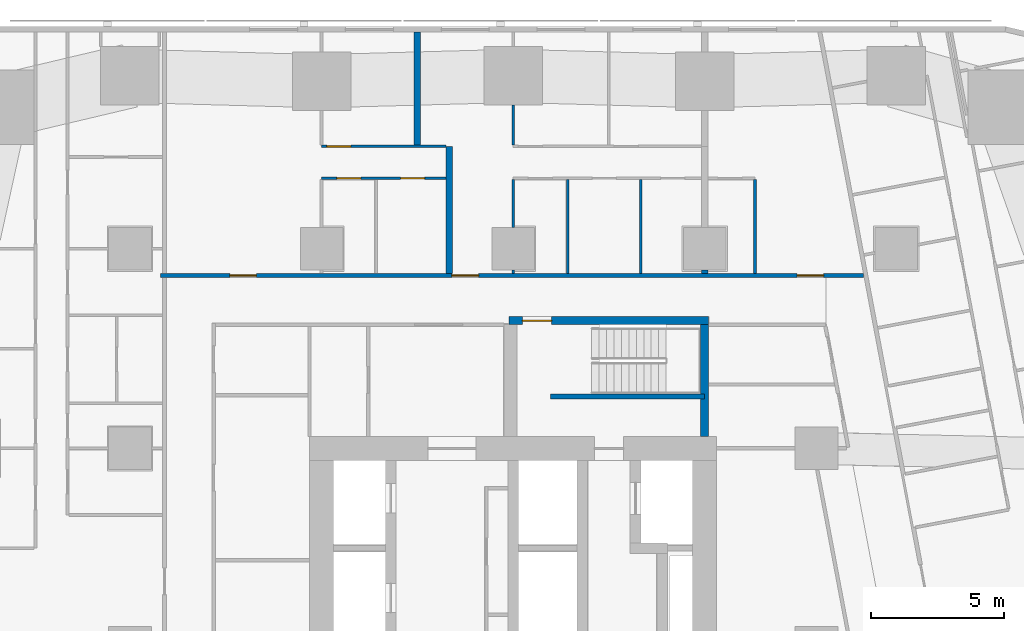
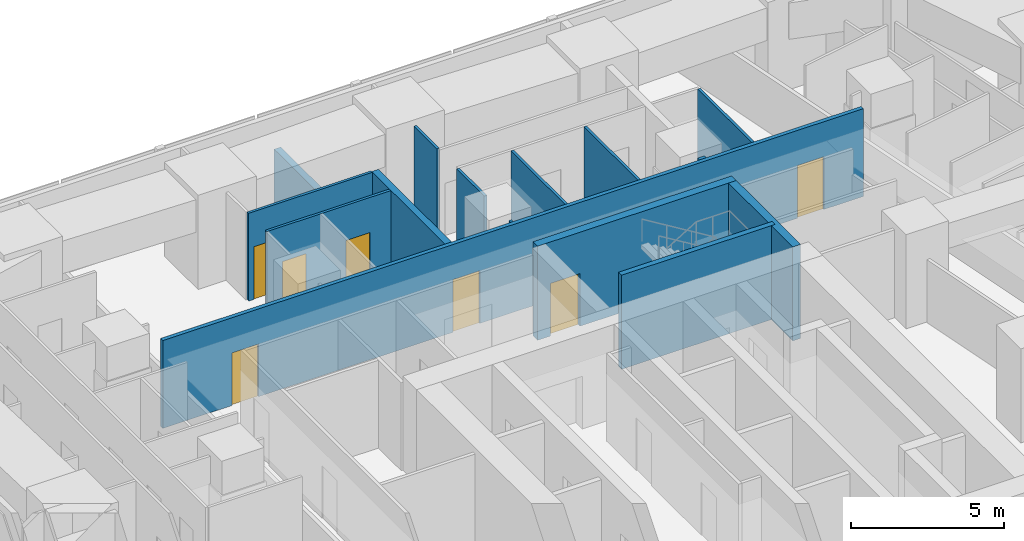
# One storey, part 10 of 17: 15 walls, 7 doors, 7 openings.
"""IFC4 building model written with IfcOpenShell, lengths in metres."""

import ifcopenshell
import ifcopenshell.guid

model = None  # the IFC model being written
_history = None  # IfcOwnerHistory: only IFC2X3 demands one
_inside = {}  # id of a spatial element -> (the spatial element, [elements in it])
_under = {}  # id of a project, library or spatial element -> (it, [spatial elements below it])
_declared = {}  # id of a project -> (the project, [libraries it declares])
_typed = {}  # id of a type object -> (the type object, [elements of that type])
_made_of = {}  # id of a material, layer set ... -> (it, [elements and type objects made of it])


def new_model(schema):
    """Start an empty IFC model of exactly this schema.

    Asked for "IFC4X3", IfcOpenShell would pick the latest addendum, in which some entities
    have other attributes; the version numbers below select the first issue.
    IFC2X3 requires an IfcOwnerHistory on every rooted entity: one is made here for all.
    """
    global model, _history
    if schema == "IFC4X3":
        model = ifcopenshell.file(schema_version=(4, 3, 0, 0))
    else:
        model = ifcopenshell.file(schema=schema)
    _inside.clear()
    _under.clear()
    _declared.clear()
    _typed.clear()
    _made_of.clear()
    _history = None
    if model.schema == "IFC2X3":
        org = make("IfcOrganization", Name="unknown")
        user = make(
            "IfcPersonAndOrganization",
            ThePerson=make("IfcPerson", FamilyName="unknown"),
            TheOrganization=org,
        )
        app = make(
            "IfcApplication",
            ApplicationDeveloper=org,
            Version="unknown",
            ApplicationFullName="unknown",
            ApplicationIdentifier="unknown",
        )
        _history = make(
            "IfcOwnerHistory",
            OwningUser=user,
            OwningApplication=app,
            ChangeAction="ADDED",
            CreationDate=0,
        )
    return model


def make(cls, **values):
    """One entity of the class cls with the attributes given. An attribute that is None is left unset."""
    return model.create_entity(
        cls, **{name: value for name, value in values.items() if value is not None}
    )


def rooted(cls, **values):
    """An entity with a GlobalId (a new one), such as an element, a storey or a relation."""
    return make(cls, GlobalId=ifcopenshell.guid.new(), OwnerHistory=_history, **values)


def si_unit(unit_type, name, prefix=None):
    """IfcSIUnit, for example si_unit("LENGTHUNIT", "METRE", prefix="MILLI")."""
    return make("IfcSIUnit", UnitType=unit_type, Prefix=prefix, Name=name)


def assignment(units):
    """IfcUnitAssignment: the units of a project."""
    return None if units is None else make("IfcUnitAssignment", Units=units)


def point(xyz):
    """IfcCartesianPoint."""
    return None if xyz is None else make("IfcCartesianPoint", Coordinates=xyz)


def direction(xyz):
    """IfcDirection."""
    return None if xyz is None else make("IfcDirection", DirectionRatios=xyz)


def frame(location, z_axis=None, x_axis=None):
    """IfcAxis2Placement3D, a coordinate frame: its origin and axes. An axis left out is left unset."""
    return make(
        "IfcAxis2Placement3D",
        Location=point(location),
        Axis=direction(z_axis),
        RefDirection=direction(x_axis),
    )


def frame_2d(location, x_axis=None):
    """IfcAxis2Placement2D, a coordinate frame in the plane: its origin and x axis."""
    return make(
        "IfcAxis2Placement2D", Location=point(location), RefDirection=direction(x_axis)
    )


def origin():
    """The frame at (0, 0, 0) with its axes left unset."""
    return frame((0.0, 0.0, 0.0))


def place(relative_to, where):
    """IfcLocalPlacement: puts the frame where relative to a parent placement (None: the world)."""
    return make(
        "IfcLocalPlacement", PlacementRelTo=relative_to, RelativePlacement=where
    )


def context(
    kind, dimensions, precision=None, world=None, true_north=None, identifier=None
):
    """IfcGeometricRepresentationContext, for example the 3D "Model" context."""
    return make(
        "IfcGeometricRepresentationContext",
        ContextIdentifier=identifier,
        ContextType=kind,
        CoordinateSpaceDimension=dimensions,
        Precision=precision,
        WorldCoordinateSystem=world,
        TrueNorth=true_north,
    )


def subcontext(parent, identifier, kind, view, scale=None):
    """IfcGeometricRepresentationSubContext, for example "Body" below "Model"."""
    return make(
        "IfcGeometricRepresentationSubContext",
        ContextIdentifier=identifier,
        ContextType=kind,
        ParentContext=parent,
        TargetScale=scale,
        TargetView=view,
    )


def project(units=None, contexts=None):
    """IfcProject with its units and contexts."""
    return rooted(
        "IfcProject",
        Name="project",
        RepresentationContexts=contexts,
        UnitsInContext=assignment(units),
    )


def spatial(cls, under=None, at=None, **own):
    """A site, building, storey or space (cls), placed at a placement, below another one or the project."""
    s = rooted(cls, ObjectPlacement=at, **own)
    if under is not None:
        _under.setdefault(under.id(), (under, []))[1].append(s)
    return s


def profile(cls, at=None, kind="AREA", **sizes):
    """A parametric profile (cls). Its sizes go by their IFC names, for example OverallWidth=200.0."""
    return make(cls, ProfileType=kind, Position=at, **sizes)


def rectangle(**sizes):
    """IfcRectangleProfileDef."""
    return profile("IfcRectangleProfileDef", **sizes)


def extrude(swept, where, along, depth):
    """IfcExtrudedAreaSolid: the profile swept, set in the frame where, extruded along a direction by depth."""
    return make(
        "IfcExtrudedAreaSolid",
        SweptArea=swept,
        Position=where,
        ExtrudedDirection=direction(along),
        Depth=depth,
    )


def shape(context_of_items, identifier, shape_type, items):
    """IfcShapeRepresentation: the items that make up one representation, for example the "Body"."""
    return make(
        "IfcShapeRepresentation",
        ContextOfItems=context_of_items,
        RepresentationIdentifier=identifier,
        RepresentationType=shape_type,
        Items=items,
    )


def material(Name=None, Category=None):
    """IfcMaterial."""
    return make("IfcMaterial", Name=Name, Category=Category)


def layer(
    of_material, thickness, ventilated=None, Name=None, Category=None, Priority=None
):
    """IfcMaterialLayer: one layer of a wall or slab, of a material (None: an air gap)."""
    return make(
        "IfcMaterialLayer",
        Material=of_material,
        LayerThickness=thickness,
        IsVentilated=ventilated,
        Name=Name,
        Category=Category,
        Priority=Priority,
    )


def layer_set(layers, Name=None):
    """IfcMaterialLayerSet."""
    return make("IfcMaterialLayerSet", MaterialLayers=layers, LayerSetName=Name)


def made_of(thing, what):
    """Note that an element or type object is made of a material, layer set ...; save() writes the relation."""
    if what is not None:
        _made_of.setdefault(what.id(), (what, []))[1].append(thing)
    return thing


def type_object(cls, material=None, **own):
    """A type object (cls), such as IfcWallType, which elements share."""
    return made_of(rooted(cls, **own), material)


def element(
    cls,
    number,
    at=None,
    inside=None,
    cuts=None,
    type_object=None,
    material=None,
    context=None,
    identifier="Body",
    shape_type=None,
    held_by="IfcProductDefinitionShape",
    body=None,
    shapes=None,
    **own,
):
    """One element of the class cls, such as IfcWall. Its Tag is "e" and its number.

    at: its placement. inside: the storey or other place that contains it. cuts: it is an
    opening in that element (IfcRelVoidsElement). A single representation is given by context,
    identifier, shape_type and body (its items); several are given by shapes. held_by: the class
    of the entity that holds the representations. save() writes the other relations.
    """
    e = rooted(cls, Tag="e%d" % number, ObjectPlacement=at, **own)
    if body is not None:
        shapes = [shape(context, identifier, shape_type, body)]
    if shapes is not None:
        e.Representation = make(held_by, Representations=shapes)
    if inside is not None:
        _inside.setdefault(inside.id(), (inside, []))[1].append(e)
    if cuts is not None:
        rooted(
            "IfcRelVoidsElement", RelatingBuildingElement=cuts, RelatedOpeningElement=e
        )
    if type_object is not None:
        _typed.setdefault(type_object.id(), (type_object, []))[1].append(e)
    return made_of(e, material)


def fill(opening, filler):
    """IfcRelFillsElement: the door or window that sits in an opening."""
    return rooted(
        "IfcRelFillsElement",
        RelatingOpeningElement=opening,
        RelatedBuildingElement=filler,
    )


def aggregate(whole, parts):
    """IfcRelAggregates: a whole, such as a stair, and the parts it consists of."""
    return rooted("IfcRelAggregates", RelatingObject=whole, RelatedObjects=parts)


def save(model, path):
    """Write the relations noted so far, then the file.

    IfcRelAggregates (storeys below a building ...), IfcRelContainedInSpatialStructure (elements
    in a storey), IfcRelDefinesByType, IfcRelAssociatesMaterial and IfcRelDeclares: one each for
    every whole, place, type object, material and project.
    """
    for whole, parts in _under.values():
        aggregate(whole, parts)
    for where, things in _inside.values():
        rooted(
            "IfcRelContainedInSpatialStructure",
            RelatedElements=things,
            RelatingStructure=where,
        )
    for kind, things in _typed.values():
        rooted("IfcRelDefinesByType", RelatedObjects=things, RelatingType=kind)
    for what, things in _made_of.values():
        rooted("IfcRelAssociatesMaterial", RelatedObjects=things, RelatingMaterial=what)
    for by, libraries in _declared.values():
        rooted("IfcRelDeclares", RelatingContext=by, RelatedDefinitions=libraries)
    model.write(path)


model = new_model("IFC4")

# Units and contexts
model_context = context("Model", 3, precision=1e-05, world=origin(), true_north=direction((0.0, 1.0)))
body_context = subcontext(model_context, "Body", "Model", "MODEL_VIEW")
ifc_project = project(units=[si_unit("LENGTHUNIT", "METRE"), si_unit("AREAUNIT", "SQUARE_METRE"), si_unit("VOLUMEUNIT", "CUBIC_METRE"), si_unit("PLANEANGLEUNIT", "RADIAN"), si_unit("MASSUNIT", "GRAM", prefix="KILO")], contexts=[model_context])

# Site, building, storey
site_placement = place(None, origin())
site = spatial("IfcSite", under=ifc_project, at=site_placement, CompositionType="ELEMENT")
building_placement = place(site_placement, origin())
building = spatial("IfcBuilding", under=site, at=building_placement, Name="Sheger Commons Tower", CompositionType="ELEMENT")
storey_placement = place(building_placement, frame((0.0, 0.0, 111.64990234375)))
storey = spatial("IfcBuildingStorey", under=building, at=storey_placement, Name="L28", CompositionType="ELEMENT", Elevation=111.64990234375)

# Wall, openings, doors
ifc_material_1 = material(Name="Hollow concrete block masonry, skimmed both sides", Category="masonry")
ifc_layer_1 = layer(ifc_material_1, 0.14990234375)
ifc_layer_set_1 = layer_set([ifc_layer_1], Name="CORRIDOR WALL 150")
wall_type_1 = type_object("IfcWallType", Name="CORRIDOR WALL 150", PredefinedType="SOLIDWALL", material=ifc_layer_set_1)
wall_1_placement = place(storey_placement, frame((8.35009765625, 36.5, 0.0), z_axis=(0.0, 0.0, 1.0), x_axis=(1.0, 0.0, 0.0)))
wall_1 = element("IfcWall", 1, at=wall_1_placement, inside=storey, type_object=wall_type_1, Name="Corridor wall L28", PredefinedType="SOLIDWALL", context=body_context, shape_type="SweptSolid", body=[
    extrude(rectangle(XDim=26.414794921875, YDim=0.14990234375, at=frame_2d((13.20751953125, 0.0))), origin(), (0.0, 0.0, 1.0), 3.5),
])
opening_1_placement = place(wall_1_placement, frame((2.60009765625, 0.0, 0.0)))
opening_1 = element("IfcOpeningElement", 2, at=opening_1_placement, cuts=wall_1, Name="Opening D1", PredefinedType="OPENING", context=body_context, shape_type="SweptSolid", body=[
    extrude(rectangle(XDim=1.0, YDim=2.10009765625, at=frame_2d((0.5, 1.050048828125))), frame((0.0, 0.0849609375, 0.0), z_axis=(0.0, -1.0, 0.0), x_axis=(1.0, 0.0, 0.0)), (0.0, 0.0, 1.0), 0.169921875),
])
opening_2_placement = place(wall_1_placement, frame((10.948974609375, 0.0, 0.0)))
opening_2 = element("IfcOpeningElement", 3, at=opening_2_placement, cuts=wall_1, Name="Opening D1", PredefinedType="OPENING", context=body_context, shape_type="SweptSolid", body=[
    extrude(rectangle(XDim=1.0, YDim=2.10009765625, at=frame_2d((0.5, 1.050048828125))), frame((0.0, 0.0849609375, 0.0), z_axis=(0.0, -1.0, 0.0), x_axis=(1.0, 0.0, 0.0)), (0.0, 0.0, 1.0), 0.169921875),
])
opening_3_placement = place(wall_1_placement, frame((23.923095703125, 0.0, 0.0)))
opening_3 = element("IfcOpeningElement", 4, at=opening_3_placement, cuts=wall_1, Name="Opening D1", PredefinedType="OPENING", context=body_context, shape_type="SweptSolid", body=[
    extrude(rectangle(XDim=1.0, YDim=2.10009765625, at=frame_2d((0.5, 1.050048828125))), frame((0.0, 0.0849609375, 0.0), z_axis=(0.0, -1.0, 0.0), x_axis=(1.0, 0.0, 0.0)), (0.0, 0.0, 1.0), 0.169921875),
])
ifc_material_2 = material(Name="Steel door set, fire rated", Category="steel")
door_type_1 = type_object("IfcDoorType", Name="FLAT ENTRANCE DOOR 1000x2100", OperationType="NOTDEFINED", PredefinedType="DOOR", material=ifc_material_2)
door_1_placement = place(opening_1_placement, origin())
door_1 = element("IfcDoor", 5, at=door_1_placement, inside=storey, type_object=door_type_1, Name="Flat entrance door", OperationType="SINGLE_SWING_LEFT", OverallHeight=2.10009765625, OverallWidth=1.0, PredefinedType="DOOR", context=body_context, shape_type="SweptSolid", body=[
    extrude(rectangle(XDim=1.0, YDim=2.10009765625, at=frame_2d((0.5, 1.050048828125))), frame((0.0, 0.02490234375, 0.0), z_axis=(0.0, -1.0, 0.0), x_axis=(1.0, 0.0, 0.0)), (0.0, 0.0, 1.0), 0.050048828125),
])
fill(opening_1, door_1)
door_2_placement = place(opening_2_placement, origin())
door_2 = element("IfcDoor", 6, at=door_2_placement, inside=storey, type_object=door_type_1, Name="Flat entrance door", OperationType="SINGLE_SWING_LEFT", OverallHeight=2.10009765625, OverallWidth=1.0, PredefinedType="DOOR", context=body_context, shape_type="SweptSolid", body=[
    extrude(rectangle(XDim=1.0, YDim=2.10009765625, at=frame_2d((0.5, 1.050048828125))), frame((0.0, 0.02490234375, 0.0), z_axis=(0.0, -1.0, 0.0), x_axis=(1.0, 0.0, 0.0)), (0.0, 0.0, 1.0), 0.050048828125),
])
fill(opening_2, door_2)
door_3_placement = place(opening_3_placement, origin())
door_3 = element("IfcDoor", 7, at=door_3_placement, inside=storey, type_object=door_type_1, Name="Flat entrance door", OperationType="SINGLE_SWING_RIGHT", OverallHeight=2.10009765625, OverallWidth=1.0, PredefinedType="DOOR", context=body_context, shape_type="SweptSolid", body=[
    extrude(rectangle(XDim=1.0, YDim=2.10009765625, at=frame_2d((0.5, 1.050048828125))), frame((0.0, 0.02490234375, 0.0), z_axis=(0.0, -1.0, 0.0), x_axis=(1.0, 0.0, 0.0)), (0.0, 0.0, 1.0), 0.050048828125),
])
fill(opening_3, door_3)

# Walls
ifc_material_3 = material(Name="Dense concrete block masonry, plastered both sides (separating wall between flats)", Category="masonry")
ifc_layer_2 = layer(ifc_material_3, 0.25)
ifc_layer_set_2 = layer_set([ifc_layer_2], Name="DEMISING WALL 250")
wall_type_2 = type_object("IfcWallType", Name="DEMISING WALL 250", PredefinedType="SOLIDWALL", material=ifc_layer_set_2)
wall_2_placement = place(storey_placement, frame((18.0, 41.39990234375, 0.0), z_axis=(0.0, 0.0, 1.0), x_axis=(0.0, 1.0, 0.0)))
element("IfcWall", 8, at=wall_2_placement, inside=storey, type_object=wall_type_2, Name="Demising wall L28", PredefinedType="SOLIDWALL", context=body_context, shape_type="SweptSolid", body=[
    extrude(rectangle(XDim=4.25, YDim=0.25, at=frame_2d((2.125, 0.0))), origin(), (0.0, 0.0, 1.0), 2.2001953125),
])
wall_3_placement = place(storey_placement, frame((19.198974609375, 36.574951171875, 0.0), z_axis=(0.0, 0.0, 1.0), x_axis=(0.0, 1.0, 0.0)))
element("IfcWall", 9, at=wall_3_placement, inside=storey, type_object=wall_type_2, Name="Demising wall L28", PredefinedType="SOLIDWALL", context=body_context, shape_type="SweptSolid", body=[
    extrude(rectangle(XDim=4.775146484375, YDim=0.25, at=frame_2d((2.3876953125, 0.0))), origin(), (0.0, 0.0, 1.0), 3.5),
])
wall_4_placement = place(storey_placement, frame((28.800048828125, 36.574951171875, 0.0), z_axis=(0.0, 0.0, 1.0), x_axis=(0.0, 1.0, 0.0)))
element("IfcWall", 10, at=wall_4_placement, inside=storey, type_object=wall_type_2, Name="Demising wall L28", PredefinedType="SOLIDWALL", context=body_context, shape_type="SweptSolid", body=[
    extrude(rectangle(XDim=0.1240234375, YDim=0.25, at=frame_2d((0.06201171875, 0.0))), origin(), (0.0, 0.0, 1.0), 3.5),
])

# Wall, opening, door
ifc_material_4 = material(Name="Gypsum board on steel studs", Category="steel")
ifc_layer_3 = layer(ifc_material_4, 0.10009765625)
ifc_layer_set_3 = layer_set([ifc_layer_3], Name="PARTITION 100")
wall_type_3 = type_object("IfcWallType", Name="PARTITION 100", PredefinedType="PARTITIONING", material=ifc_layer_set_3)
wall_5_placement = place(storey_placement, frame((14.39990234375, 41.35009765625, 0.0), z_axis=(0.0, 0.0, 1.0), x_axis=(1.0, 0.0, 0.0)))
wall_5 = element("IfcWall", 11, at=wall_5_placement, inside=storey, type_object=wall_type_3, Name="Partition L28", PredefinedType="PARTITIONING", context=body_context, shape_type="SweptSolid", body=[
    extrude(rectangle(XDim=4.674072265625, YDim=0.10009765625, at=frame_2d((2.3369140625, 0.0))), origin(), (0.0, 0.0, 1.0), 3.5),
])
opening_4_placement = place(wall_5_placement, frame((0.199951171875, 0.0, 0.0)))
opening_4 = element("IfcOpeningElement", 12, at=opening_4_placement, cuts=wall_5, Name="Opening D2", PredefinedType="OPENING", context=body_context, shape_type="SweptSolid", body=[
    extrude(rectangle(XDim=0.89990234375, YDim=2.10009765625, at=frame_2d((0.449951171875, 1.050048828125))), frame((0.0, 0.06005859375, 0.0), z_axis=(0.0, -1.0, 0.0), x_axis=(1.0, 0.0, 0.0)), (0.0, 0.0, 1.0), 0.1201171875),
])
ifc_material_5 = material(Name="Timber door set", Category="wood")
door_type_2 = type_object("IfcDoorType", Name="INTERNAL DOOR 900x2100", OperationType="NOTDEFINED", PredefinedType="DOOR", material=ifc_material_5)
door_4_placement = place(opening_4_placement, origin())
door_4 = element("IfcDoor", 13, at=door_4_placement, inside=storey, type_object=door_type_2, Name="Main bedroom door", OperationType="SINGLE_SWING_LEFT", OverallHeight=2.10009765625, OverallWidth=0.89990234375, PredefinedType="DOOR", context=body_context, shape_type="SweptSolid", body=[
    extrude(rectangle(XDim=0.89990234375, YDim=2.10009765625, at=frame_2d((0.449951171875, 1.050048828125))), frame((0.0, 0.02490234375, 0.0), z_axis=(0.0, -1.0, 0.0), x_axis=(1.0, 0.0, 0.0)), (0.0, 0.0, 1.0), 0.050048828125),
])
fill(opening_4, door_4)

# Wall, openings, doors
wall_6_placement = place(storey_placement, frame((14.39990234375, 40.14990234375, 0.0), z_axis=(0.0, 0.0, 1.0), x_axis=(1.0, 0.0, 0.0)))
wall_6 = element("IfcWall", 14, at=wall_6_placement, inside=storey, type_object=wall_type_3, Name="Partition L28", PredefinedType="PARTITIONING", context=body_context, shape_type="SweptSolid", body=[
    extrude(rectangle(XDim=4.674072265625, YDim=0.10009765625, at=frame_2d((2.3369140625, 0.0))), origin(), (0.0, 0.0, 1.0), 3.5),
])
opening_5_placement = place(wall_6_placement, frame((0.574951171875, 0.0, 0.0)))
opening_5 = element("IfcOpeningElement", 15, at=opening_5_placement, cuts=wall_6, Name="Opening D2", PredefinedType="OPENING", context=body_context, shape_type="SweptSolid", body=[
    extrude(rectangle(XDim=0.89990234375, YDim=2.10009765625, at=frame_2d((0.449951171875, 1.050048828125))), frame((0.0, 0.06005859375, 0.0), z_axis=(0.0, -1.0, 0.0), x_axis=(1.0, 0.0, 0.0)), (0.0, 0.0, 1.0), 0.1201171875),
])
opening_6_placement = place(wall_6_placement, frame((2.97509765625, 0.0, 0.0)))
opening_6 = element("IfcOpeningElement", 16, at=opening_6_placement, cuts=wall_6, Name="Opening D2", PredefinedType="OPENING", context=body_context, shape_type="SweptSolid", body=[
    extrude(rectangle(XDim=0.89990234375, YDim=2.10009765625, at=frame_2d((0.449951171875, 1.050048828125))), frame((0.0, 0.06005859375, 0.0), z_axis=(0.0, -1.0, 0.0), x_axis=(1.0, 0.0, 0.0)), (0.0, 0.0, 1.0), 0.1201171875),
])
door_5_placement = place(opening_5_placement, origin())
door_5 = element("IfcDoor", 17, at=door_5_placement, inside=storey, type_object=door_type_2, Name="Bathroom door", OperationType="SINGLE_SWING_RIGHT", OverallHeight=2.10009765625, OverallWidth=0.89990234375, PredefinedType="DOOR", context=body_context, shape_type="SweptSolid", body=[
    extrude(rectangle(XDim=0.89990234375, YDim=2.10009765625, at=frame_2d((0.449951171875, 1.050048828125))), frame((0.0, 0.02490234375, 0.0), z_axis=(0.0, -1.0, 0.0), x_axis=(1.0, 0.0, 0.0)), (0.0, 0.0, 1.0), 0.050048828125),
])
fill(opening_5, door_5)
door_6_placement = place(opening_6_placement, origin())
door_6 = element("IfcDoor", 18, at=door_6_placement, inside=storey, type_object=door_type_2, Name="Store door", OperationType="SINGLE_SWING_LEFT", OverallHeight=2.10009765625, OverallWidth=0.89990234375, PredefinedType="DOOR", context=body_context, shape_type="SweptSolid", body=[
    extrude(rectangle(XDim=0.89990234375, YDim=2.10009765625, at=frame_2d((0.449951171875, 1.050048828125))), frame((0.0, 0.02490234375, 0.0), z_axis=(0.0, -1.0, 0.0), x_axis=(1.0, 0.0, 0.0)), (0.0, 0.0, 1.0), 0.050048828125),
])
fill(opening_6, door_6)

# Walls
wall_7_placement = place(storey_placement, frame((21.60009765625, 41.39990234375, 0.0), z_axis=(0.0, 0.0, 1.0), x_axis=(0.0, 1.0, 0.0)))
element("IfcWall", 19, at=wall_7_placement, inside=storey, type_object=wall_type_3, Name="Partition L28", PredefinedType="PARTITIONING", context=body_context, shape_type="SweptSolid", body=[
    extrude(rectangle(XDim=1.4990234375, YDim=0.10009765625, at=frame_2d((0.74951171875, 0.0))), origin(), (0.0, 0.0, 1.0), 3.5),
])
wall_8_placement = place(storey_placement, frame((21.60009765625, 36.574951171875, 0.0), z_axis=(0.0, 0.0, 1.0), x_axis=(0.0, 1.0, 0.0)))
element("IfcWall", 20, at=wall_8_placement, inside=storey, type_object=wall_type_3, Name="Partition L28", PredefinedType="PARTITIONING", context=body_context, shape_type="SweptSolid", body=[
    extrude(rectangle(XDim=0.1240234375, YDim=0.10009765625, at=frame_2d((0.06201171875, 0.0))), origin(), (0.0, 0.0, 1.0), 3.5),
])
wall_9_placement = place(storey_placement, frame((21.60009765625, 38.301025390625, 0.0), z_axis=(0.0, 0.0, 1.0), x_axis=(0.0, 1.0, 0.0)))
element("IfcWall", 21, at=wall_9_placement, inside=storey, type_object=wall_type_3, Name="Partition L28", PredefinedType="PARTITIONING", context=body_context, shape_type="SweptSolid", body=[
    extrude(rectangle(XDim=1.799072265625, YDim=0.10009765625, at=frame_2d((0.8994140625, 0.0))), origin(), (0.0, 0.0, 1.0), 3.5),
])
for number, where, z_axis, x_axis, name in (
    (22, (26.39892578125, 36.574951171875, 0.0), (0.0, 0.0, 1.0), (0.0, 1.0, 0.0), "Partition L28"),
    (23, (23.64990234375, 36.574951171875, 0.0), (0.0, 0.0, 1.0), (0.0, 1.0, 0.0), "Partition L28"),
    (24, (30.68994140625, 36.574951171875, 0.0), (0.0, 0.0, 1.0), (0.0, 1.0, 0.0), "Partition L28"),
):
    element("IfcWall", number, at=place(storey_placement, frame(where, z_axis=z_axis, x_axis=x_axis)), inside=storey, type_object=wall_type_3, Name=name, PredefinedType="PARTITIONING", context=body_context, shape_type="SweptSolid", body=[
        extrude(rectangle(XDim=3.525146484375, YDim=0.10009765625, at=frame_2d((1.7626953125, 0.0))), origin(), (0.0, 0.0, 1.0), 3.5),
    ])

# Wall, opening, door
ifc_material_6 = material(Name="Concrete C50/60", Category="concrete")
ifc_layer_4 = layer(ifc_material_6, 0.300048828125)
ifc_layer_set_4 = layer_set([ifc_layer_4], Name="STAIR CORE WALL 300")
wall_type_4 = type_object("IfcWallType", Name="STAIR CORE WALL 300", PredefinedType="SHEAR", material=ifc_layer_set_4)
wall_10_placement = place(storey_placement, frame((21.449951171875, 34.800048828125, 0.0), z_axis=(0.0, 0.0, 1.0), x_axis=(1.0, 0.0, 0.0)))
wall_10 = element("IfcWall", 25, at=wall_10_placement, inside=storey, type_object=wall_type_4, Name="STW-L28-S2N", PredefinedType="SHEAR", context=body_context, shape_type="SweptSolid", body=[
    extrude(rectangle(XDim=7.5, YDim=0.300048828125, at=frame_2d((3.75, 0.0))), origin(), (0.0, 0.0, 1.0), 3.75),
])
opening_7_placement = place(wall_10_placement, frame((0.5, 0.0, 0.0)))
opening_7 = element("IfcOpeningElement", 26, at=opening_7_placement, cuts=wall_10, Name="Opening D5", PredefinedType="OPENING", context=body_context, shape_type="SweptSolid", body=[
    extrude(rectangle(XDim=1.10009765625, YDim=2.10009765625, at=frame_2d((0.550048828125, 1.050048828125))), frame((0.0, 0.159912109375, 0.0), z_axis=(0.0, -1.0, 0.0), x_axis=(1.0, 0.0, 0.0)), (0.0, 0.0, 1.0), 0.320068359375),
])
ifc_material_7 = material(Name="Steel door set, fire rated", Category="steel")
door_type_3 = type_object("IfcDoorType", Name="STAIR DOOR 1100x2100", OperationType="NOTDEFINED", PredefinedType="DOOR", material=ifc_material_7)
door_7_placement = place(opening_7_placement, origin())
door_7 = element("IfcDoor", 27, at=door_7_placement, inside=storey, type_object=door_type_3, Name="Stair S2 door", OperationType="SINGLE_SWING_RIGHT", OverallHeight=2.10009765625, OverallWidth=1.10009765625, PredefinedType="DOOR", context=body_context, shape_type="SweptSolid", body=[
    extrude(rectangle(XDim=1.10009765625, YDim=2.10009765625, at=frame_2d((0.550048828125, 1.050048828125))), frame((0.0, 0.02490234375, 0.0), z_axis=(0.0, -1.0, 0.0), x_axis=(1.0, 0.0, 0.0)), (0.0, 0.0, 1.0), 0.050048828125),
])
fill(opening_7, door_7)

# Walls
wall_11_placement = place(storey_placement, frame((28.800048828125, 30.449951171875, 0.0), z_axis=(0.0, 0.0, 1.0), x_axis=(0.0, 1.0, 0.0)))
element("IfcWall", 28, at=wall_11_placement, inside=storey, type_object=wall_type_4, Name="STW-L28-S2E", PredefinedType="SHEAR", context=body_context, shape_type="SweptSolid", body=[
    extrude(rectangle(XDim=4.199951171875, YDim=0.300048828125, at=frame_2d((2.10009765625, 0.0))), origin(), (0.0, 0.0, 1.0), 3.75),
])
ifc_material_8 = material(Name="Concrete C50/60", Category="concrete")
ifc_layer_5 = layer(ifc_material_8, 0.199951171875)
ifc_layer_set_5 = layer_set([ifc_layer_5], Name="STAIR SPINE WALL 200")
wall_type_5 = type_object("IfcWallType", Name="STAIR SPINE WALL 200", PredefinedType="SHEAR", material=ifc_layer_set_5)
wall_12_placement = place(storey_placement, frame((23.0, 31.949951171875, 0.0), z_axis=(0.0, 0.0, 1.0), x_axis=(1.0, 0.0, 0.0)))
element("IfcWall", 29, at=wall_12_placement, inside=storey, type_object=wall_type_5, Name="Stair spine wall L28", PredefinedType="SHEAR", context=body_context, shape_type="SweptSolid", body=[
    extrude(rectangle(XDim=5.800048828125, YDim=0.199951171875, at=frame_2d((2.89990234375, 0.0))), origin(), (0.0, 0.0, 1.0), 3.75),
])

save(model, "model.ifc")
